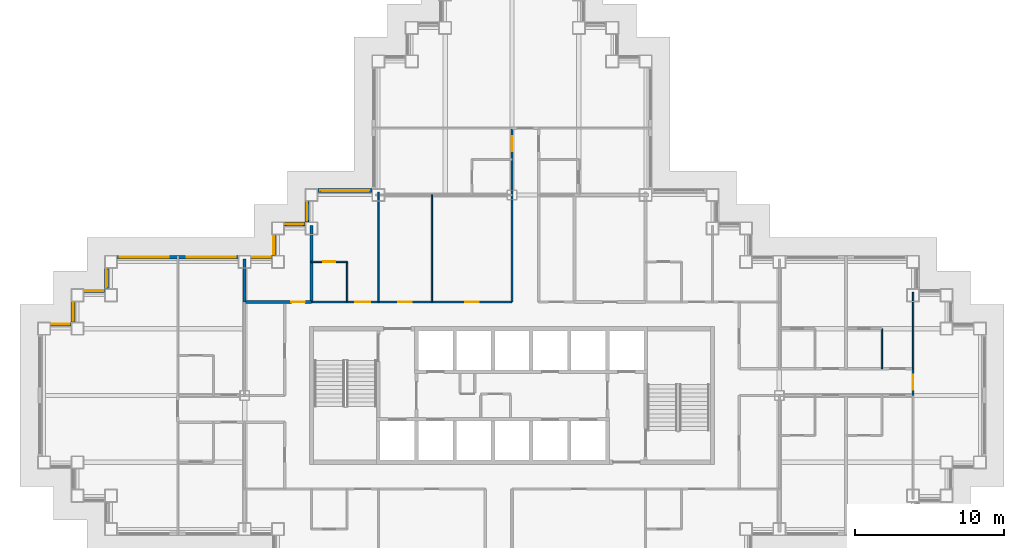
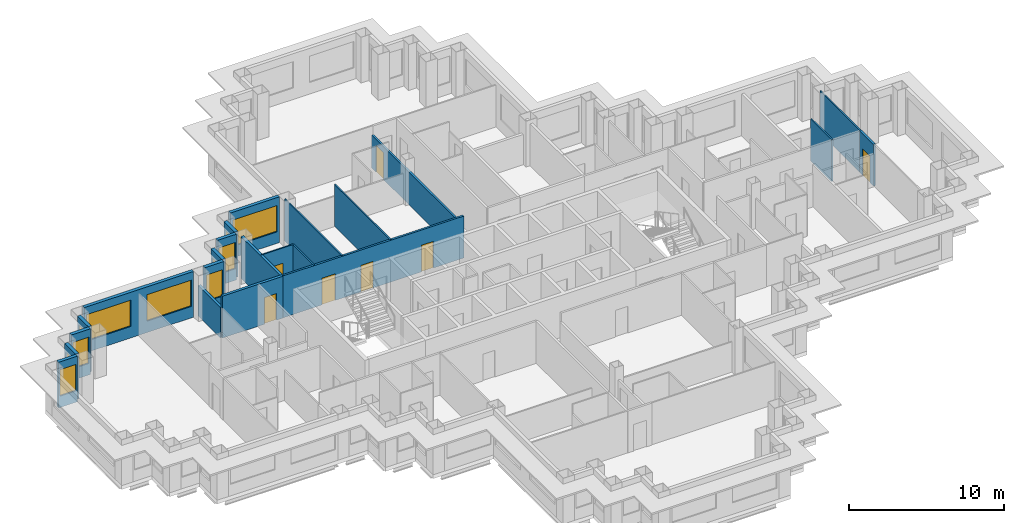
# One storey, part 8 of 15: 22 walls, 11 windows, 7 doors, 18 openings.
"""IFC4 building model written with IfcOpenShell, lengths in metres."""

from ifc_helpers import new_model, si_unit, direction, frame, frame_2d, origin, place, context, subcontext, project, spatial, rectangle, extrude, material, layer, layer_set, type_object, element, fill, save


model = new_model("IFC4")

# Units and contexts
model_context = context("Model", 3, precision=1e-05, world=origin(), true_north=direction((0.0, 1.0)))
body_context = subcontext(model_context, "Body", "Model", "MODEL_VIEW")
ifc_project = project(units=[si_unit("LENGTHUNIT", "METRE"), si_unit("AREAUNIT", "SQUARE_METRE"), si_unit("VOLUMEUNIT", "CUBIC_METRE"), si_unit("PLANEANGLEUNIT", "RADIAN"), si_unit("MASSUNIT", "GRAM", prefix="KILO")], contexts=[model_context])

# Site, building, storey
site_placement = place(None, origin())
site = spatial("IfcSite", under=ifc_project, at=site_placement, CompositionType="ELEMENT")
building_placement = place(site_placement, origin())
building = spatial("IfcBuilding", under=site, at=building_placement, Name="Caravel Reach Hotel and Residences", CompositionType="ELEMENT")
storey_placement = place(building_placement, frame((0.0, 0.0, 122.39990234375)))
storey = spatial("IfcBuildingStorey", under=building, at=storey_placement, Name="L30", CompositionType="ELEMENT", Elevation=122.39990234375)

# Wall, opening, door
ifc_material_1 = material(Name="Gypsum board on steel stud", Category="steel")
ifc_layer_1 = layer(ifc_material_1, 0.10009765625)
ifc_layer_set_1 = layer_set([ifc_layer_1], Name="Bathroom pod wall 100 mm")
wall_type_1 = type_object("IfcWallType", Name="Bathroom pod wall 100 mm", PredefinedType="PARTITIONING", material=ifc_layer_set_1)
wall_1_placement = place(storey_placement, frame((18.0, 36.0, 0.0), z_axis=(0.0, 0.0, 1.0), x_axis=(1.0, 0.0, 0.0)))
wall_1 = element("IfcWall", 1, at=wall_1_placement, inside=storey, type_object=wall_type_1, Name="L30 wall w077", PredefinedType="PARTITIONING", context=body_context, shape_type="SweptSolid", body=[
    extrude(rectangle(XDim=2.39990234375, YDim=0.10009765625, at=frame_2d((1.199951171875, 0.0))), origin(), (0.0, 0.0, 1.0), 3.300048828125),
])
opening_1_placement = place(wall_1_placement, frame((0.800048828125, 0.0, 0.0)))
opening_1 = element("IfcOpeningElement", 2, at=opening_1_placement, cuts=wall_1, Name="Opening D30-041", PredefinedType="OPENING", context=body_context, shape_type="SweptSolid", body=[
    extrude(rectangle(XDim=0.800048828125, YDim=2.10009765625, at=frame_2d((0.39990234375, 1.050048828125))), frame((0.0, 0.06005859375, 0.0), z_axis=(0.0, -1.0, 0.0), x_axis=(1.0, 0.0, 0.0)), (0.0, 0.0, 1.0), 0.1201171875),
])
ifc_material_2 = material(Name="Timber and steel door leaf", Category="steel")
door_type_1 = type_object("IfcDoorType", Name="Bathroom door 800 x 2100", OperationType="SINGLE_SWING_LEFT", PredefinedType="DOOR", material=ifc_material_2)
door_1_placement = place(opening_1_placement, origin())
door_1 = element("IfcDoor", 3, at=door_1_placement, inside=storey, type_object=door_type_1, Name="door D30-041", OperationType="SINGLE_SWING_LEFT", OverallHeight=2.10009765625, OverallWidth=0.800048828125, PredefinedType="DOOR", context=body_context, shape_type="SweptSolid", body=[
    extrude(rectangle(XDim=0.800048828125, YDim=2.10009765625, at=frame_2d((0.39990234375, 1.050048828125))), frame((0.0, 0.02490234375, 0.0), z_axis=(0.0, -1.0, 0.0), x_axis=(1.0, 0.0, 0.0)), (0.0, 0.0, 1.0), 0.050048828125),
])
fill(opening_1, door_1)

# Walls
for number, where, z_axis, x_axis, name in (
    (4, (20.39990234375, 33.300048828125, 0.0), (0.0, 0.0, 1.0), (0.0, 1.0, 0.0), "L30 wall w084"),
    (5, (56.39990234375, 28.800048828125, 0.0), (0.0, 0.0, 1.0), (0.0, 1.0, 0.0), "L30 wall w094"),
):
    element("IfcWall", number, at=place(storey_placement, frame(where, z_axis=z_axis, x_axis=x_axis)), inside=storey, type_object=wall_type_1, Name=name, PredefinedType="PARTITIONING", context=body_context, shape_type="SweptSolid", body=[
        extrude(rectangle(XDim=2.699951171875, YDim=0.10009765625, at=frame_2d((1.35009765625, 0.0))), origin(), (0.0, 0.0, 1.0), 3.300048828125),
    ])

# Wall, opening, door
ifc_material_3 = material(Name="Autoclaved aerated block wall")
ifc_layer_2 = layer(ifc_material_3, 0.199951171875)
ifc_layer_set_2 = layer_set([ifc_layer_2], Name="Compartment wall 200 mm EI 120")
wall_type_2 = type_object("IfcWallType", Name="Compartment wall 200 mm EI 120", PredefinedType="PARTITIONING", material=ifc_layer_set_2)
wall_2_placement = place(storey_placement, frame((13.5, 33.300048828125, 0.0), z_axis=(0.0, 0.0, 1.0), x_axis=(1.0, 0.0, 0.0)))
wall_2 = element("IfcWall", 6, at=wall_2_placement, inside=storey, type_object=wall_type_2, Name="L30 wall w098", PredefinedType="PARTITIONING", context=body_context, shape_type="SweptSolid", body=[
    extrude(rectangle(XDim=4.5, YDim=0.199951171875, at=frame_2d((2.25, 0.0))), origin(), (0.0, 0.0, 1.0), 3.300048828125),
])
opening_2_placement = place(wall_2_placement, frame((3.14990234375, 0.0, 0.0)))
opening_2 = element("IfcOpeningElement", 7, at=opening_2_placement, cuts=wall_2, Name="Opening D30-042", PredefinedType="OPENING", context=body_context, shape_type="SweptSolid", body=[
    extrude(rectangle(XDim=0.89990234375, YDim=2.10009765625, at=frame_2d((0.449951171875, 1.050048828125))), frame((0.0, 0.10986328125, 0.0), z_axis=(0.0, -1.0, 0.0), x_axis=(1.0, 0.0, 0.0)), (0.0, 0.0, 1.0), 0.219970703125),
])
ifc_material_4 = material(Name="Steel fire door leaf", Category="steel")
door_type_2 = type_object("IfcDoorType", Name="Riser door 900 x 2100 EI 60", OperationType="SINGLE_SWING_LEFT", PredefinedType="DOOR", material=ifc_material_4)
door_2_placement = place(opening_2_placement, origin())
door_2 = element("IfcDoor", 8, at=door_2_placement, inside=storey, type_object=door_type_2, Name="door D30-042", OperationType="SINGLE_SWING_LEFT", OverallHeight=2.10009765625, OverallWidth=0.89990234375, PredefinedType="DOOR", context=body_context, shape_type="SweptSolid", body=[
    extrude(rectangle(XDim=0.89990234375, YDim=2.10009765625, at=frame_2d((0.449951171875, 1.050048828125))), frame((0.0, 0.02490234375, 0.0), z_axis=(0.0, -1.0, 0.0), x_axis=(1.0, 0.0, 0.0)), (0.0, 0.0, 1.0), 0.050048828125),
])
fill(opening_2, door_2)

# Walls
wall_3_placement = place(storey_placement, frame((13.5, 33.300048828125, 0.0), z_axis=(0.0, 0.0, 1.0), x_axis=(0.0, 1.0, 0.0)))
element("IfcWall", 9, at=wall_3_placement, inside=storey, type_object=wall_type_2, Name="L30 wall w100", PredefinedType="PARTITIONING", context=body_context, shape_type="SweptSolid", body=[
    extrude(rectangle(XDim=2.889892578125, YDim=0.199951171875, at=frame_2d((1.44482421875, 0.0))), origin(), (0.0, 0.0, 1.0), 2.380126953125),
])
wall_4_placement = place(storey_placement, frame((18.0, 33.300048828125, 0.0), z_axis=(0.0, 0.0, 1.0), x_axis=(0.0, 1.0, 0.0)))
element("IfcWall", 10, at=wall_4_placement, inside=storey, type_object=wall_type_2, Name="L30 wall w101", PredefinedType="PARTITIONING", context=body_context, shape_type="SweptSolid", body=[
    extrude(rectangle(XDim=5.139892578125, YDim=0.199951171875, at=frame_2d((2.56982421875, 0.0))), origin(), (0.0, 0.0, 1.0), 3.300048828125),
])

# Wall, openings, doors
ifc_material_5 = material(Name="Gypsum board on steel stud, fire-rated", Category="steel")
ifc_layer_3 = layer(ifc_material_5, 0.14990234375)
ifc_layer_set_3 = layer_set([ifc_layer_3], Name="Corridor wall 150 mm EI 60")
wall_type_3 = type_object("IfcWallType", Name="Corridor wall 150 mm EI 60", PredefinedType="PARTITIONING", material=ifc_layer_set_3)
wall_5_placement = place(storey_placement, frame((18.0, 33.300048828125, 0.0), z_axis=(0.0, 0.0, 1.0), x_axis=(1.0, 0.0, 0.0)))
wall_5 = element("IfcWall", 11, at=wall_5_placement, inside=storey, type_object=wall_type_3, Name="L30 wall w015", PredefinedType="PARTITIONING", context=body_context, shape_type="SweptSolid", body=[
    extrude(rectangle(XDim=13.5, YDim=0.14990234375, at=frame_2d((6.75, 0.0))), origin(), (0.0, 0.0, 1.0), 3.300048828125),
])
opening_3_placement = place(wall_5_placement, frame((2.949951171875, 0.0, 0.0)))
opening_3 = element("IfcOpeningElement", 12, at=opening_3_placement, cuts=wall_5, Name="Opening D30-040", PredefinedType="OPENING", context=body_context, shape_type="SweptSolid", body=[
    extrude(rectangle(XDim=1.0, YDim=2.10009765625, at=frame_2d((0.5, 1.050048828125))), frame((0.0, 0.0849609375, 0.0), z_axis=(0.0, -1.0, 0.0), x_axis=(1.0, 0.0, 0.0)), (0.0, 0.0, 1.0), 0.169921875),
])
opening_4_placement = place(wall_5_placement, frame((5.85009765625, 0.0, 0.0)))
opening_4 = element("IfcOpeningElement", 13, at=opening_4_placement, cuts=wall_5, Name="Opening D30-050", PredefinedType="OPENING", context=body_context, shape_type="SweptSolid", body=[
    extrude(rectangle(XDim=0.89990234375, YDim=2.10009765625, at=frame_2d((0.449951171875, 1.050048828125))), frame((0.0, 0.0849609375, 0.0), z_axis=(0.0, -1.0, 0.0), x_axis=(1.0, 0.0, 0.0)), (0.0, 0.0, 1.0), 0.169921875),
])
opening_5_placement = place(wall_5_placement, frame((10.35009765625, 0.0, 0.0)))
opening_5 = element("IfcOpeningElement", 14, at=opening_5_placement, cuts=wall_5, Name="Opening D30-051", PredefinedType="OPENING", context=body_context, shape_type="SweptSolid", body=[
    extrude(rectangle(XDim=0.89990234375, YDim=2.10009765625, at=frame_2d((0.449951171875, 1.050048828125))), frame((0.0, 0.0849609375, 0.0), z_axis=(0.0, -1.0, 0.0), x_axis=(1.0, 0.0, 0.0)), (0.0, 0.0, 1.0), 0.169921875),
])
ifc_material_6 = material(Name="Timber and steel door leaf", Category="steel")
door_type_3 = type_object("IfcDoorType", Name="Door 900 x 2100 timber", OperationType="SINGLE_SWING_LEFT", PredefinedType="DOOR", material=ifc_material_6)
door_3_placement = place(opening_4_placement, origin())
door_3 = element("IfcDoor", 15, at=door_3_placement, inside=storey, type_object=door_type_3, Name="door D30-050", OperationType="SINGLE_SWING_RIGHT", OverallHeight=2.10009765625, OverallWidth=0.89990234375, PredefinedType="DOOR", context=body_context, shape_type="SweptSolid", body=[
    extrude(rectangle(XDim=0.89990234375, YDim=2.10009765625, at=frame_2d((0.449951171875, 1.050048828125))), frame((0.0, 0.02490234375, 0.0), z_axis=(0.0, -1.0, 0.0), x_axis=(1.0, 0.0, 0.0)), (0.0, 0.0, 1.0), 0.050048828125),
])
fill(opening_4, door_3)
door_4_placement = place(opening_5_placement, origin())
door_4 = element("IfcDoor", 16, at=door_4_placement, inside=storey, type_object=door_type_3, Name="door D30-051", OperationType="SINGLE_SWING_RIGHT", OverallHeight=2.10009765625, OverallWidth=0.89990234375, PredefinedType="DOOR", context=body_context, shape_type="SweptSolid", body=[
    extrude(rectangle(XDim=0.89990234375, YDim=2.10009765625, at=frame_2d((0.449951171875, 1.050048828125))), frame((0.0, 0.02490234375, 0.0), z_axis=(0.0, -1.0, 0.0), x_axis=(1.0, 0.0, 0.0)), (0.0, 0.0, 1.0), 0.050048828125),
])
fill(opening_5, door_4)
ifc_material_7 = material(Name="Steel fire door leaf", Category="steel")
door_type_4 = type_object("IfcDoorType", Name="Guest room door 1000 x 2100 EI 30", OperationType="SINGLE_SWING_LEFT", PredefinedType="DOOR", material=ifc_material_7)
door_5_placement = place(opening_3_placement, origin())
door_5 = element("IfcDoor", 17, at=door_5_placement, inside=storey, type_object=door_type_4, Name="door D30-040", OperationType="SINGLE_SWING_RIGHT", OverallHeight=2.10009765625, OverallWidth=1.0, PredefinedType="DOOR", context=body_context, shape_type="SweptSolid", body=[
    extrude(rectangle(XDim=1.0, YDim=2.10009765625, at=frame_2d((0.5, 1.050048828125))), frame((0.0, 0.02490234375, 0.0), z_axis=(0.0, -1.0, 0.0), x_axis=(1.0, 0.0, 0.0)), (0.0, 0.0, 1.0), 0.050048828125),
])
fill(opening_3, door_5)

# Wall, opening, door
wall_6_placement = place(storey_placement, frame((31.5, 33.300048828125, 0.0), z_axis=(0.0, 0.0, 1.0), x_axis=(0.0, 1.0, 0.0)))
wall_6 = element("IfcWall", 18, at=wall_6_placement, inside=storey, type_object=wall_type_3, Name="L30 wall w029", PredefinedType="PARTITIONING", context=body_context, shape_type="SweptSolid", body=[
    extrude(rectangle(XDim=11.699951171875, YDim=0.14990234375, at=frame_2d((5.85009765625, 0.0))), origin(), (0.0, 0.0, 1.0), 2.580078125),
])
opening_6_placement = place(wall_6_placement, frame((10.14990234375, 0.0, 0.0)))
opening_6 = element("IfcOpeningElement", 19, at=opening_6_placement, cuts=wall_6, Name="Opening D30-028", PredefinedType="OPENING", context=body_context, shape_type="SweptSolid", body=[
    extrude(rectangle(XDim=1.0, YDim=2.10009765625, at=frame_2d((0.5, 1.050048828125))), frame((0.0, 0.0849609375, 0.0), z_axis=(0.0, -1.0, 0.0), x_axis=(1.0, 0.0, 0.0)), (0.0, 0.0, 1.0), 0.169921875),
])
door_6_placement = place(opening_6_placement, origin())
door_6 = element("IfcDoor", 20, at=door_6_placement, inside=storey, type_object=door_type_4, Name="door D30-028", OperationType="SINGLE_SWING_RIGHT", OverallHeight=2.10009765625, OverallWidth=1.0, PredefinedType="DOOR", context=body_context, shape_type="SweptSolid", body=[
    extrude(rectangle(XDim=1.0, YDim=2.10009765625, at=frame_2d((0.5, 1.050048828125))), frame((0.0, 0.02490234375, 0.0), z_axis=(0.0, -1.0, 0.0), x_axis=(1.0, 0.0, 0.0)), (0.0, 0.0, 1.0), 0.050048828125),
])
fill(opening_6, door_6)

wall_7_placement = place(storey_placement, frame((58.5, 27.0, 0.0), z_axis=(0.0, 0.0, 1.0), x_axis=(0.0, 1.0, 0.0)))
wall_7 = element("IfcWall", 21, at=wall_7_placement, inside=storey, type_object=wall_type_3, Name="L30 wall w035", PredefinedType="PARTITIONING", context=body_context, shape_type="SweptSolid", body=[
    extrude(rectangle(XDim=1.800048828125, YDim=0.14990234375, at=frame_2d((0.89990234375, 0.0))), origin(), (0.0, 0.0, 1.0), 3.300048828125),
])
opening_7_placement = place(wall_7_placement, frame((0.39990234375, 0.0, 0.0)))
opening_7 = element("IfcOpeningElement", 22, at=opening_7_placement, cuts=wall_7, Name="Opening D30-037", PredefinedType="OPENING", context=body_context, shape_type="SweptSolid", body=[
    extrude(rectangle(XDim=1.0, YDim=2.10009765625, at=frame_2d((0.5, 1.050048828125))), frame((0.0, 0.0849609375, 0.0), z_axis=(0.0, -1.0, 0.0), x_axis=(1.0, 0.0, 0.0)), (0.0, 0.0, 1.0), 0.169921875),
])
door_7_placement = place(opening_7_placement, origin())
door_7 = element("IfcDoor", 23, at=door_7_placement, inside=storey, type_object=door_type_4, Name="door D30-037", OperationType="SINGLE_SWING_LEFT", OverallHeight=2.10009765625, OverallWidth=1.0, PredefinedType="DOOR", context=body_context, shape_type="SweptSolid", body=[
    extrude(rectangle(XDim=1.0, YDim=2.10009765625, at=frame_2d((0.5, 1.050048828125))), frame((0.0, 0.02490234375, 0.0), z_axis=(0.0, -1.0, 0.0), x_axis=(1.0, 0.0, 0.0)), (0.0, 0.0, 1.0), 0.050048828125),
])
fill(opening_7, door_7)

# Wall, opening, window
ifc_material_8 = material(Name="Insulated rainscreen wall, aluminium cladding", Category="aluminium")
ifc_layer_4 = layer(ifc_material_8, 0.25)
ifc_layer_set_4 = layer_set([ifc_layer_4], Name="EW1 Tower rainscreen wall")
wall_type_4 = type_object("IfcWallType", Name="EW1 Tower rainscreen wall", PredefinedType="SOLIDWALL", material=ifc_layer_set_4)
wall_8_placement = place(storey_placement, frame((22.074951171875, 40.800048828125, 0.0), z_axis=(0.0, 0.0, 1.0), x_axis=(-1.0, 0.0, 0.0)))
wall_8 = element("IfcWall", 24, at=wall_8_placement, inside=storey, type_object=wall_type_4, Name="External wall L30 N41.1", PredefinedType="SOLIDWALL", context=body_context, shape_type="SweptSolid", body=[
    extrude(rectangle(XDim=3.64990234375, YDim=0.25, at=frame_2d((1.824951171875, 0.0))), origin(), (0.0, 0.0, 1.0), 3.60009765625),
])
opening_8_placement = place(wall_8_placement, frame((0.175048828125, 0.0, 0.89990234375)))
opening_8 = element("IfcOpeningElement", 25, at=opening_8_placement, cuts=wall_8, Name="Opening WN4", PredefinedType="OPENING", context=body_context, shape_type="SweptSolid", body=[
    extrude(rectangle(XDim=3.300048828125, YDim=2.080078125, at=frame_2d((1.64990234375, 1.0400390625))), frame((0.0, 0.135009765625, 0.0), z_axis=(0.0, -1.0, 0.0), x_axis=(1.0, 0.0, 0.0)), (0.0, 0.0, 1.0), 0.27001953125),
])
ifc_material_9 = material(Name="Dark low-e glazing in black aluminium frame", Category="aluminium")
window_type_1 = type_object("IfcWindowType", Name="Hotel guest room window 3300 x 2080", PartitioningType="SINGLE_PANEL", PredefinedType="WINDOW", material=ifc_material_9)
window_1_placement = place(opening_8_placement, origin())
window_1 = element("IfcWindow", 26, at=window_1_placement, inside=storey, type_object=window_type_1, Name="Window L30 N41.1.1", OverallHeight=2.080078125, OverallWidth=3.300048828125, PartitioningType="SINGLE_PANEL", PredefinedType="WINDOW", context=body_context, shape_type="SweptSolid", body=[
    extrude(rectangle(XDim=3.300048828125, YDim=2.080078125, at=frame_2d((1.64990234375, 1.0400390625))), frame((0.0, 0.030029296875, 0.0), z_axis=(0.0, -1.0, 0.0), x_axis=(1.0, 0.0, 0.0)), (0.0, 0.0, 1.0), 0.06005859375),
])
fill(opening_8, window_1)

wall_9_placement = place(storey_placement, frame((17.699951171875, 40.074951171875, 0.0), z_axis=(0.0, 0.0, 1.0), x_axis=(0.0, -1.0, 0.0)))
wall_9 = element("IfcWall", 27, at=wall_9_placement, inside=storey, type_object=wall_type_4, Name="External wall L30 W42.1", PredefinedType="SOLIDWALL", context=body_context, shape_type="SweptSolid", body=[
    extrude(rectangle(XDim=1.39990234375, YDim=0.25, at=frame_2d((0.699951171875, 0.0))), origin(), (0.0, 0.0, 1.0), 3.60009765625),
])
opening_9_placement = place(wall_9_placement, frame((0.10009765625, 0.0, 0.89990234375)))
opening_9 = element("IfcOpeningElement", 28, at=opening_9_placement, cuts=wall_9, Name="Opening WN9", PredefinedType="OPENING", context=body_context, shape_type="SweptSolid", body=[
    extrude(rectangle(XDim=1.199951171875, YDim=2.080078125, at=frame_2d((0.60009765625, 1.0400390625))), frame((0.0, 0.135009765625, 0.0), z_axis=(0.0, -1.0, 0.0), x_axis=(1.0, 0.0, 0.0)), (0.0, 0.0, 1.0), 0.27001953125),
])
ifc_material_10 = material(Name="Dark low-e glazing in black aluminium frame", Category="aluminium")
window_type_2 = type_object("IfcWindowType", Name="Hotel suite corner window 1200 x 2080", PartitioningType="SINGLE_PANEL", PredefinedType="WINDOW", material=ifc_material_10)
window_2_placement = place(opening_9_placement, origin())
window_2 = element("IfcWindow", 29, at=window_2_placement, inside=storey, type_object=window_type_2, Name="Window L30 W42.1.1", OverallHeight=2.080078125, OverallWidth=1.199951171875, PartitioningType="SINGLE_PANEL", PredefinedType="WINDOW", context=body_context, shape_type="SweptSolid", body=[
    extrude(rectangle(XDim=1.199951171875, YDim=2.080078125, at=frame_2d((0.60009765625, 1.0400390625))), frame((0.0, 0.030029296875, 0.0), z_axis=(0.0, -1.0, 0.0), x_axis=(1.0, 0.0, 0.0)), (0.0, 0.0, 1.0), 0.06005859375),
])
fill(opening_9, window_2)

wall_10_placement = place(storey_placement, frame((17.574951171875, 38.550048828125, 0.0), z_axis=(0.0, 0.0, 1.0), x_axis=(-1.0, 0.0, 0.0)))
wall_10 = element("IfcWall", 30, at=wall_10_placement, inside=storey, type_object=wall_type_4, Name="External wall L30 N43.1", PredefinedType="SOLIDWALL", context=body_context, shape_type="SweptSolid", body=[
    extrude(rectangle(XDim=1.39990234375, YDim=0.25, at=frame_2d((0.699951171875, 0.0))), origin(), (0.0, 0.0, 1.0), 3.60009765625),
])
opening_10_placement = place(wall_10_placement, frame((0.10009765625, 0.0, 0.89990234375)))
opening_10 = element("IfcOpeningElement", 31, at=opening_10_placement, cuts=wall_10, Name="Opening WN9", PredefinedType="OPENING", context=body_context, shape_type="SweptSolid", body=[
    extrude(rectangle(XDim=1.199951171875, YDim=2.080078125, at=frame_2d((0.60009765625, 1.0400390625))), frame((0.0, 0.135009765625, 0.0), z_axis=(0.0, -1.0, 0.0), x_axis=(1.0, 0.0, 0.0)), (0.0, 0.0, 1.0), 0.27001953125),
])
window_3_placement = place(opening_10_placement, origin())
window_3 = element("IfcWindow", 32, at=window_3_placement, inside=storey, type_object=window_type_2, Name="Window L30 N43.1.1", OverallHeight=2.080078125, OverallWidth=1.199951171875, PartitioningType="SINGLE_PANEL", PredefinedType="WINDOW", context=body_context, shape_type="SweptSolid", body=[
    extrude(rectangle(XDim=1.199951171875, YDim=2.080078125, at=frame_2d((0.60009765625, 1.0400390625))), frame((0.0, 0.030029296875, 0.0), z_axis=(0.0, -1.0, 0.0), x_axis=(1.0, 0.0, 0.0)), (0.0, 0.0, 1.0), 0.06005859375),
])
fill(opening_10, window_3)

wall_11_placement = place(storey_placement, frame((15.449951171875, 37.824951171875, 0.0), z_axis=(0.0, 0.0, 1.0), x_axis=(0.0, -1.0, 0.0)))
wall_11 = element("IfcWall", 33, at=wall_11_placement, inside=storey, type_object=wall_type_4, Name="External wall L30 W44.1", PredefinedType="SOLIDWALL", context=body_context, shape_type="SweptSolid", body=[
    extrude(rectangle(XDim=1.39990234375, YDim=0.25, at=frame_2d((0.699951171875, 0.0))), origin(), (0.0, 0.0, 1.0), 3.60009765625),
])
opening_11_placement = place(wall_11_placement, frame((0.10009765625, 0.0, 0.89990234375)))
opening_11 = element("IfcOpeningElement", 34, at=opening_11_placement, cuts=wall_11, Name="Opening WN9", PredefinedType="OPENING", context=body_context, shape_type="SweptSolid", body=[
    extrude(rectangle(XDim=1.199951171875, YDim=2.080078125, at=frame_2d((0.60009765625, 1.0400390625))), frame((0.0, 0.135009765625, 0.0), z_axis=(0.0, -1.0, 0.0), x_axis=(1.0, 0.0, 0.0)), (0.0, 0.0, 1.0), 0.27001953125),
])
window_4_placement = place(opening_11_placement, origin())
window_4 = element("IfcWindow", 35, at=window_4_placement, inside=storey, type_object=window_type_2, Name="Window L30 W44.1.1", OverallHeight=2.080078125, OverallWidth=1.199951171875, PartitioningType="SINGLE_PANEL", PredefinedType="WINDOW", context=body_context, shape_type="SweptSolid", body=[
    extrude(rectangle(XDim=1.199951171875, YDim=2.080078125, at=frame_2d((0.60009765625, 1.0400390625))), frame((0.0, 0.030029296875, 0.0), z_axis=(0.0, -1.0, 0.0), x_axis=(1.0, 0.0, 0.0)), (0.0, 0.0, 1.0), 0.06005859375),
])
fill(opening_11, window_4)

wall_12_placement = place(storey_placement, frame((15.324951171875, 36.300048828125, 0.0), z_axis=(0.0, 0.0, 1.0), x_axis=(-1.0, 0.0, 0.0)))
wall_12 = element("IfcWall", 36, at=wall_12_placement, inside=storey, type_object=wall_type_4, Name="External wall L30 N45.1", PredefinedType="SOLIDWALL", context=body_context, shape_type="SweptSolid", body=[
    extrude(rectangle(XDim=1.39990234375, YDim=0.25, at=frame_2d((0.699951171875, 0.0))), origin(), (0.0, 0.0, 1.0), 3.60009765625),
])
opening_12_placement = place(wall_12_placement, frame((0.10009765625, 0.0, 0.89990234375)))
opening_12 = element("IfcOpeningElement", 37, at=opening_12_placement, cuts=wall_12, Name="Opening WN9", PredefinedType="OPENING", context=body_context, shape_type="SweptSolid", body=[
    extrude(rectangle(XDim=1.199951171875, YDim=2.080078125, at=frame_2d((0.60009765625, 1.0400390625))), frame((0.0, 0.135009765625, 0.0), z_axis=(0.0, -1.0, 0.0), x_axis=(1.0, 0.0, 0.0)), (0.0, 0.0, 1.0), 0.27001953125),
])
window_5_placement = place(opening_12_placement, origin())
window_5 = element("IfcWindow", 38, at=window_5_placement, inside=storey, type_object=window_type_2, Name="Window L30 N45.1.1", OverallHeight=2.080078125, OverallWidth=1.199951171875, PartitioningType="SINGLE_PANEL", PredefinedType="WINDOW", context=body_context, shape_type="SweptSolid", body=[
    extrude(rectangle(XDim=1.199951171875, YDim=2.080078125, at=frame_2d((0.60009765625, 1.0400390625))), frame((0.0, 0.030029296875, 0.0), z_axis=(0.0, -1.0, 0.0), x_axis=(1.0, 0.0, 0.0)), (0.0, 0.0, 1.0), 0.06005859375),
])
fill(opening_12, window_5)

# Wall, openings, windows
wall_13_placement = place(storey_placement, frame((13.074951171875, 36.300048828125, 0.0), z_axis=(0.0, 0.0, 1.0), x_axis=(-1.0, 0.0, 0.0)))
wall_13 = element("IfcWall", 39, at=wall_13_placement, inside=storey, type_object=wall_type_4, Name="External wall L30 N45.2", PredefinedType="SOLIDWALL", context=body_context, shape_type="SweptSolid", body=[
    extrude(rectangle(XDim=8.14990234375, YDim=0.25, at=frame_2d((4.074951171875, 0.0))), origin(), (0.0, 0.0, 1.0), 3.60009765625),
])
opening_13_placement = place(wall_13_placement, frame((0.175048828125, 0.0, 0.89990234375)))
opening_13 = element("IfcOpeningElement", 40, at=opening_13_placement, cuts=wall_13, Name="Opening WN4", PredefinedType="OPENING", context=body_context, shape_type="SweptSolid", body=[
    extrude(rectangle(XDim=3.300048828125, YDim=2.080078125, at=frame_2d((1.64990234375, 1.0400390625))), frame((0.0, 0.135009765625, 0.0), z_axis=(0.0, -1.0, 0.0), x_axis=(1.0, 0.0, 0.0)), (0.0, 0.0, 1.0), 0.27001953125),
])
opening_14_placement = place(wall_13_placement, frame((4.675048828125, 0.0, 0.89990234375)))
opening_14 = element("IfcOpeningElement", 41, at=opening_14_placement, cuts=wall_13, Name="Opening WN4", PredefinedType="OPENING", context=body_context, shape_type="SweptSolid", body=[
    extrude(rectangle(XDim=3.300048828125, YDim=2.080078125, at=frame_2d((1.64990234375, 1.0400390625))), frame((0.0, 0.135009765625, 0.0), z_axis=(0.0, -1.0, 0.0), x_axis=(1.0, 0.0, 0.0)), (0.0, 0.0, 1.0), 0.27001953125),
])
window_6_placement = place(opening_13_placement, origin())
window_6 = element("IfcWindow", 42, at=window_6_placement, inside=storey, type_object=window_type_1, Name="Window L30 N45.2.1", OverallHeight=2.080078125, OverallWidth=3.300048828125, PartitioningType="SINGLE_PANEL", PredefinedType="WINDOW", context=body_context, shape_type="SweptSolid", body=[
    extrude(rectangle(XDim=3.300048828125, YDim=2.080078125, at=frame_2d((1.64990234375, 1.0400390625))), frame((0.0, 0.030029296875, 0.0), z_axis=(0.0, -1.0, 0.0), x_axis=(1.0, 0.0, 0.0)), (0.0, 0.0, 1.0), 0.06005859375),
])
fill(opening_13, window_6)
window_7_placement = place(opening_14_placement, origin())
window_7 = element("IfcWindow", 43, at=window_7_placement, inside=storey, type_object=window_type_1, Name="Window L30 N45.2.2", OverallHeight=2.080078125, OverallWidth=3.300048828125, PartitioningType="SINGLE_PANEL", PredefinedType="WINDOW", context=body_context, shape_type="SweptSolid", body=[
    extrude(rectangle(XDim=3.300048828125, YDim=2.080078125, at=frame_2d((1.64990234375, 1.0400390625))), frame((0.0, 0.030029296875, 0.0), z_axis=(0.0, -1.0, 0.0), x_axis=(1.0, 0.0, 0.0)), (0.0, 0.0, 1.0), 0.06005859375),
])
fill(opening_14, window_7)

# Wall, opening, window
wall_14_placement = place(storey_placement, frame((4.199951171875, 35.574951171875, 0.0), z_axis=(0.0, 0.0, 1.0), x_axis=(0.0, -1.0, 0.0)))
wall_14 = element("IfcWall", 44, at=wall_14_placement, inside=storey, type_object=wall_type_4, Name="External wall L30 W46.1", PredefinedType="SOLIDWALL", context=body_context, shape_type="SweptSolid", body=[
    extrude(rectangle(XDim=1.39990234375, YDim=0.25, at=frame_2d((0.699951171875, 0.0))), origin(), (0.0, 0.0, 1.0), 3.60009765625),
])
opening_15_placement = place(wall_14_placement, frame((0.10009765625, 0.0, 0.89990234375)))
opening_15 = element("IfcOpeningElement", 45, at=opening_15_placement, cuts=wall_14, Name="Opening WN9", PredefinedType="OPENING", context=body_context, shape_type="SweptSolid", body=[
    extrude(rectangle(XDim=1.199951171875, YDim=2.080078125, at=frame_2d((0.60009765625, 1.0400390625))), frame((0.0, 0.135009765625, 0.0), z_axis=(0.0, -1.0, 0.0), x_axis=(1.0, 0.0, 0.0)), (0.0, 0.0, 1.0), 0.27001953125),
])
window_8_placement = place(opening_15_placement, origin())
window_8 = element("IfcWindow", 46, at=window_8_placement, inside=storey, type_object=window_type_2, Name="Window L30 W46.1.1", OverallHeight=2.080078125, OverallWidth=1.199951171875, PartitioningType="SINGLE_PANEL", PredefinedType="WINDOW", context=body_context, shape_type="SweptSolid", body=[
    extrude(rectangle(XDim=1.199951171875, YDim=2.080078125, at=frame_2d((0.60009765625, 1.0400390625))), frame((0.0, 0.030029296875, 0.0), z_axis=(0.0, -1.0, 0.0), x_axis=(1.0, 0.0, 0.0)), (0.0, 0.0, 1.0), 0.06005859375),
])
fill(opening_15, window_8)

wall_15_placement = place(storey_placement, frame((4.074951171875, 34.050048828125, 0.0), z_axis=(0.0, 0.0, 1.0), x_axis=(-1.0, 0.0, 0.0)))
wall_15 = element("IfcWall", 47, at=wall_15_placement, inside=storey, type_object=wall_type_4, Name="External wall L30 N47.1", PredefinedType="SOLIDWALL", context=body_context, shape_type="SweptSolid", body=[
    extrude(rectangle(XDim=1.39990234375, YDim=0.25, at=frame_2d((0.699951171875, 0.0))), origin(), (0.0, 0.0, 1.0), 3.60009765625),
])
opening_16_placement = place(wall_15_placement, frame((0.10009765625, 0.0, 0.89990234375)))
opening_16 = element("IfcOpeningElement", 48, at=opening_16_placement, cuts=wall_15, Name="Opening WN9", PredefinedType="OPENING", context=body_context, shape_type="SweptSolid", body=[
    extrude(rectangle(XDim=1.199951171875, YDim=2.080078125, at=frame_2d((0.60009765625, 1.0400390625))), frame((0.0, 0.135009765625, 0.0), z_axis=(0.0, -1.0, 0.0), x_axis=(1.0, 0.0, 0.0)), (0.0, 0.0, 1.0), 0.27001953125),
])
window_9_placement = place(opening_16_placement, origin())
window_9 = element("IfcWindow", 49, at=window_9_placement, inside=storey, type_object=window_type_2, Name="Window L30 N47.1.1", OverallHeight=2.080078125, OverallWidth=1.199951171875, PartitioningType="SINGLE_PANEL", PredefinedType="WINDOW", context=body_context, shape_type="SweptSolid", body=[
    extrude(rectangle(XDim=1.199951171875, YDim=2.080078125, at=frame_2d((0.60009765625, 1.0400390625))), frame((0.0, 0.030029296875, 0.0), z_axis=(0.0, -1.0, 0.0), x_axis=(1.0, 0.0, 0.0)), (0.0, 0.0, 1.0), 0.06005859375),
])
fill(opening_16, window_9)

wall_16_placement = place(storey_placement, frame((1.949951171875, 33.324951171875, 0.0), z_axis=(0.0, 0.0, 1.0), x_axis=(0.0, -1.0, 0.0)))
wall_16 = element("IfcWall", 50, at=wall_16_placement, inside=storey, type_object=wall_type_4, Name="External wall L30 W48.1", PredefinedType="SOLIDWALL", context=body_context, shape_type="SweptSolid", body=[
    extrude(rectangle(XDim=1.39990234375, YDim=0.25, at=frame_2d((0.699951171875, 0.0))), origin(), (0.0, 0.0, 1.0), 3.60009765625),
])
opening_17_placement = place(wall_16_placement, frame((0.10009765625, 0.0, 0.89990234375)))
opening_17 = element("IfcOpeningElement", 51, at=opening_17_placement, cuts=wall_16, Name="Opening WN9", PredefinedType="OPENING", context=body_context, shape_type="SweptSolid", body=[
    extrude(rectangle(XDim=1.199951171875, YDim=2.080078125, at=frame_2d((0.60009765625, 1.0400390625))), frame((0.0, 0.135009765625, 0.0), z_axis=(0.0, -1.0, 0.0), x_axis=(1.0, 0.0, 0.0)), (0.0, 0.0, 1.0), 0.27001953125),
])
window_10_placement = place(opening_17_placement, origin())
window_10 = element("IfcWindow", 52, at=window_10_placement, inside=storey, type_object=window_type_2, Name="Window L30 W48.1.1", OverallHeight=2.080078125, OverallWidth=1.199951171875, PartitioningType="SINGLE_PANEL", PredefinedType="WINDOW", context=body_context, shape_type="SweptSolid", body=[
    extrude(rectangle(XDim=1.199951171875, YDim=2.080078125, at=frame_2d((0.60009765625, 1.0400390625))), frame((0.0, 0.030029296875, 0.0), z_axis=(0.0, -1.0, 0.0), x_axis=(1.0, 0.0, 0.0)), (0.0, 0.0, 1.0), 0.06005859375),
])
fill(opening_17, window_10)

wall_17_placement = place(storey_placement, frame((1.824951171875, 31.800048828125, 0.0), z_axis=(0.0, 0.0, 1.0), x_axis=(-1.0, 0.0, 0.0)))
wall_17 = element("IfcWall", 53, at=wall_17_placement, inside=storey, type_object=wall_type_4, Name="External wall L30 N49.1", PredefinedType="SOLIDWALL", context=body_context, shape_type="SweptSolid", body=[
    extrude(rectangle(XDim=1.39990234375, YDim=0.25, at=frame_2d((0.699951171875, 0.0))), origin(), (0.0, 0.0, 1.0), 3.60009765625),
])
opening_18_placement = place(wall_17_placement, frame((0.10009765625, 0.0, 0.89990234375)))
opening_18 = element("IfcOpeningElement", 54, at=opening_18_placement, cuts=wall_17, Name="Opening WN9", PredefinedType="OPENING", context=body_context, shape_type="SweptSolid", body=[
    extrude(rectangle(XDim=1.199951171875, YDim=2.080078125, at=frame_2d((0.60009765625, 1.0400390625))), frame((0.0, 0.135009765625, 0.0), z_axis=(0.0, -1.0, 0.0), x_axis=(1.0, 0.0, 0.0)), (0.0, 0.0, 1.0), 0.27001953125),
])
window_11_placement = place(opening_18_placement, origin())
window_11 = element("IfcWindow", 55, at=window_11_placement, inside=storey, type_object=window_type_2, Name="Window L30 N49.1.1", OverallHeight=2.080078125, OverallWidth=1.199951171875, PartitioningType="SINGLE_PANEL", PredefinedType="WINDOW", context=body_context, shape_type="SweptSolid", body=[
    extrude(rectangle(XDim=1.199951171875, YDim=2.080078125, at=frame_2d((0.60009765625, 1.0400390625))), frame((0.0, 0.030029296875, 0.0), z_axis=(0.0, -1.0, 0.0), x_axis=(1.0, 0.0, 0.0)), (0.0, 0.0, 1.0), 0.06005859375),
])
fill(opening_18, window_11)

# Walls
ifc_material_11 = material(Name="Gypsum board on steel stud", Category="steel")
ifc_layer_5 = layer(ifc_material_11, 0.10009765625)
ifc_layer_set_5 = layer_set([ifc_layer_5], Name="Partition 100 mm")
wall_type_5 = type_object("IfcWallType", Name="Partition 100 mm", PredefinedType="PARTITIONING", material=ifc_layer_set_5)
wall_18_placement = place(storey_placement, frame((22.5, 33.300048828125, 0.0), z_axis=(0.0, 0.0, 1.0), x_axis=(0.0, 1.0, 0.0)))
element("IfcWall", 56, at=wall_18_placement, inside=storey, type_object=wall_type_5, Name="L30 wall w051", PredefinedType="PARTITIONING", context=body_context, shape_type="SweptSolid", body=[
    extrude(rectangle(XDim=7.389892578125, YDim=0.10009765625, at=frame_2d((3.69482421875, 0.0))), origin(), (0.0, 0.0, 1.0), 3.300048828125),
])
wall_19_placement = place(storey_placement, frame((26.10009765625, 33.300048828125, 0.0), z_axis=(0.0, 0.0, 1.0), x_axis=(0.0, 1.0, 0.0)))
element("IfcWall", 57, at=wall_19_placement, inside=storey, type_object=wall_type_5, Name="L30 wall w053", PredefinedType="PARTITIONING", context=body_context, shape_type="SweptSolid", body=[
    extrude(rectangle(XDim=7.199951171875, YDim=0.10009765625, at=frame_2d((3.60009765625, 0.0))), origin(), (0.0, 0.0, 1.0), 3.300048828125),
])
wall_20_placement = place(storey_placement, frame((58.5, 28.800048828125, 0.0), z_axis=(0.0, 0.0, 1.0), x_axis=(0.0, 1.0, 0.0)))
element("IfcWall", 58, at=wall_20_placement, inside=storey, type_object=wall_type_5, Name="L30 wall w059", PredefinedType="PARTITIONING", context=body_context, shape_type="SweptSolid", body=[
    extrude(rectangle(XDim=5.139892578125, YDim=0.10009765625, at=frame_2d((2.56982421875, 0.0))), origin(), (0.0, 0.0, 1.0), 3.300048828125),
])

save(model, "model.ifc")
